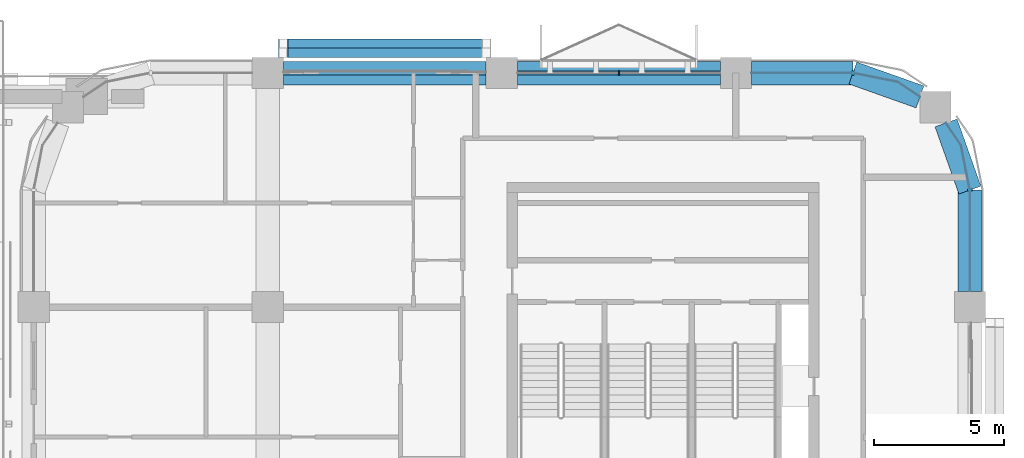
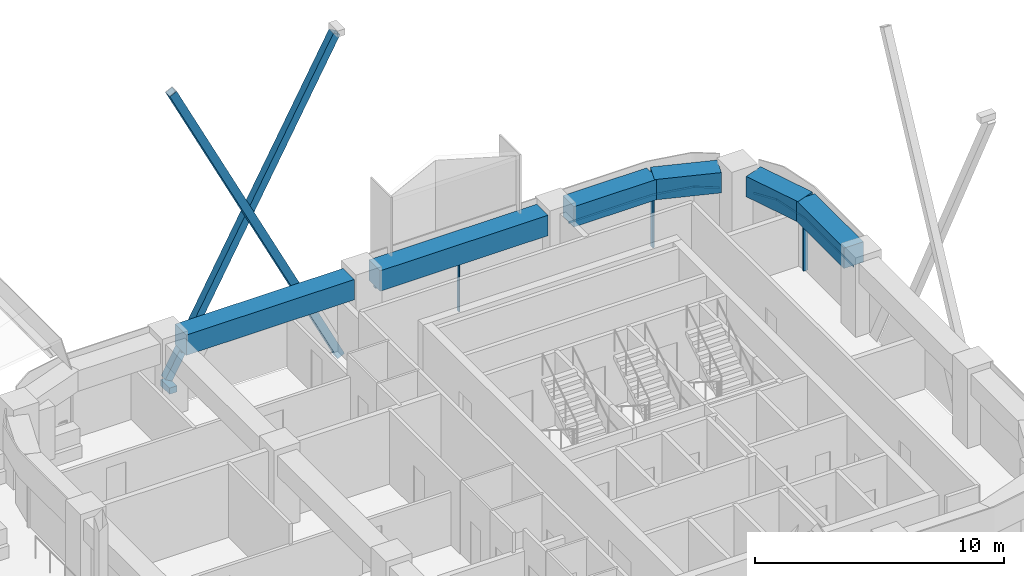
# One storey, part 5 of 13: 10 members, 6 beams, 4 elements without a shape of their own.
"""IFC4 building model written with IfcOpenShell, lengths in metres."""

from ifc_helpers import new_model, si_unit, direction, frame, origin, origin_2d, place, context, subcontext, project, spatial, polyline, rectangle, hollow_rectangle, outline, extrude, material, layer, layer_set, material_profile, profile_set, type_object, element, aggregate, save


model = new_model("IFC4")

# Units and contexts
model_context = context("Model", 3, precision=1e-05, world=origin(), true_north=direction((0.0, 1.0)))
body_context = subcontext(model_context, "Body", "Model", "MODEL_VIEW")
ifc_project = project(units=[si_unit("LENGTHUNIT", "METRE"), si_unit("AREAUNIT", "SQUARE_METRE"), si_unit("VOLUMEUNIT", "CUBIC_METRE"), si_unit("PLANEANGLEUNIT", "RADIAN"), si_unit("MASSUNIT", "GRAM", prefix="KILO")], contexts=[model_context])

# Site, building, storey
site_placement = place(None, origin())
site = spatial("IfcSite", under=ifc_project, at=site_placement, CompositionType="ELEMENT")
building_placement = place(site_placement, origin())
building = spatial("IfcBuilding", under=site, at=building_placement, Name="Tessera Arch", CompositionType="ELEMENT")
storey_placement = place(building_placement, frame((0.0, 0.0, 234.5)))
storey = spatial("IfcBuildingStorey", under=building, at=storey_placement, Name="L56", CompositionType="ELEMENT", Elevation=234.5)

# Members
ifc_material_1 = material(Name="Steel A500 Gr C", Category="steel")
ifc_material_profile_1 = material_profile(ifc_material_1, hollow_rectangle(XDim=0.355712890625, YDim=0.355712890625, WallThickness=0.01171875, at=origin_2d()), Name="HSS14x14x1/2")
ifc_profile_set_1 = profile_set([ifc_material_profile_1], Name="Steel A500 Gr C")
member_type_1 = type_object("IfcMemberType", Name="Brace HSS14x14x1/2 Steel A500 Gr C", PredefinedType="BRACE", material=ifc_profile_set_1)
member_1_placement = place(storey_placement, frame((35.39990234375, 54.77783203125, -0.800048828125), z_axis=(-0.447202397208, 0.0, 0.894432790058), x_axis=(0.0, -1.0, 0.0)))
element("IfcMember", 1, at=member_1_placement, inside=storey, type_object=member_type_1, Name="Brace N54.18-2 A L56-L59", PredefinedType="BRACE", context=body_context, shape_type="SweptSolid", body=[
    extrude(hollow_rectangle(XDim=0.355712890625, YDim=0.355712890625, WallThickness=0.01171875, at=origin_2d()), origin(), (0.0, 0.0, 1.0), 17.44140625),
])
member_2_placement = place(storey_placement, frame((27.60009765625, 55.13330078125, 0.522705078125), z_axis=(0.479428201331, 0.0, 0.877581107231), x_axis=(0.0, 1.0, 0.0)))
element("IfcMember", 2, at=member_2_placement, inside=storey, type_object=member_type_1, Name="Brace N54.18-2 B L56-L59", PredefinedType="BRACE", context=body_context, shape_type="SweptSolid", body=[
    extrude(hollow_rectangle(XDim=0.355712890625, YDim=0.355712890625, WallThickness=0.01171875, at=origin_2d()), origin(), (0.0, 0.0, 1.0), 16.26904296875),
])

# Curtain wall, members
ifc_material_2 = material(Name="CW1 curtain wall")
curtain_wall_type_1 = type_object("IfcCurtainWallType", Name="CW1 curtain wall", PredefinedType="NOTDEFINED", material=ifc_material_2)
curtain_wall_1_placement = place(storey_placement, origin())
curtain_wall_1 = element("IfcCurtainWall", 3, at=curtain_wall_1_placement, inside=storey, type_object=curtain_wall_type_1, Name="CW1 curtain wall N54.18/1 L56", PredefinedType="NOTDEFINED")
ifc_material_3 = material(Name="Anodised aluminium pale metal", Category="aluminium")
ifc_material_profile_2 = material_profile(ifc_material_3, rectangle(XDim=0.159912109375, YDim=0.06005859375, at=origin_2d()), Name="AL 60x160")
ifc_profile_set_2 = profile_set([ifc_material_profile_2], Name="Anodised aluminium pale metal")
member_type_2 = type_object("IfcMemberType", Name="CW1 mullion", PredefinedType="MULLION", material=ifc_profile_set_2)
member_3_placement = place(storey_placement, frame((40.5, 54.0, 0.0), z_axis=(0.0, 0.0, 1.0), x_axis=(0.0, -1.0, 0.0)))
member_3 = element("IfcMember", 4, at=member_3_placement, type_object=member_type_2, Name="CW1 mullion N54.18/1 1", PredefinedType="MULLION", context=body_context, shape_type="SweptSolid", body=[
    extrude(rectangle(XDim=0.159912109375, YDim=0.06005859375, at=origin_2d()), origin(), (0.0, 0.0, 1.0), 2.5),
])
ifc_material_4 = material(Name="Anodised aluminium pale metal", Category="aluminium")
ifc_material_profile_3 = material_profile(ifc_material_4, rectangle(XDim=0.159912109375, YDim=0.10009765625, at=origin_2d()), Name="AL 160x100")
ifc_profile_set_3 = profile_set([ifc_material_profile_3], Name="Anodised aluminium pale metal")
member_type_3 = type_object("IfcMemberType", Name="CW1 transom", PredefinedType="USERDEFINED", material=ifc_profile_set_3)
member_4_placement = place(storey_placement, frame((44.39990234375, 54.0, 2.550048828125), z_axis=(-1.0, 0.0, 0.0), x_axis=(0.0, -1.0, 0.0)))
member_4 = element("IfcMember", 5, at=member_4_placement, type_object=member_type_3, Name="CW1 transom N54.18/1 1.1", ObjectType="TRANSOM", PredefinedType="USERDEFINED", context=body_context, shape_type="SweptSolid", body=[
    extrude(rectangle(XDim=0.159912109375, YDim=0.10009765625, at=origin_2d()), origin(), (0.0, 0.0, 1.0), 7.7998046875),
])
aggregate(curtain_wall_1, [member_3, member_4])

# Curtain wall, member
ifc_material_5 = material(Name="CW2 curtain wall")
curtain_wall_type_2 = type_object("IfcCurtainWallType", Name="CW2 curtain wall", PredefinedType="NOTDEFINED", material=ifc_material_5)
curtain_wall_2_placement = place(storey_placement, origin())
curtain_wall_2 = element("IfcCurtainWall", 6, at=curtain_wall_2_placement, inside=storey, type_object=curtain_wall_type_2, Name="CW2 curtain wall E54.27/1 L56", PredefinedType="NOTDEFINED")
ifc_material_6 = material(Name="Anodised aluminium pale metal", Category="aluminium")
ifc_material_profile_4 = material_profile(ifc_material_6, rectangle(XDim=0.199951171875, YDim=0.080078125, at=origin_2d()), Name="AL 80x200")
ifc_profile_set_4 = profile_set([ifc_material_profile_4], Name="Anodised aluminium pale metal")
member_type_4 = type_object("IfcMemberType", Name="CW2 mullion", PredefinedType="MULLION", material=ifc_profile_set_4)
member_5_placement = place(storey_placement, frame((54.0, 49.5, 0.0), z_axis=(0.0, 0.0, 1.0), x_axis=(-1.0, 0.0, 0.0)))
member_5 = element("IfcMember", 7, at=member_5_placement, type_object=member_type_4, Name="CW2 mullion E54.27/1 1", PredefinedType="MULLION", context=body_context, shape_type="SweptSolid", body=[
    extrude(rectangle(XDim=0.199951171875, YDim=0.080078125, at=origin_2d()), origin(), (0.0, 0.0, 1.0), 2.5),
])

curtain_wall_3_placement = place(storey_placement, origin())
curtain_wall_3 = element("IfcCurtainWall", 8, at=curtain_wall_3_placement, inside=storey, type_object=curtain_wall_type_2, Name="CW2 curtain wall N54.18/0 L56", PredefinedType="NOTDEFINED")
member_6_placement = place(storey_placement, frame((49.5, 54.0, 0.0), z_axis=(0.0, 0.0, 1.0), x_axis=(0.0, -1.0, 0.0)))
member_6 = element("IfcMember", 9, at=member_6_placement, type_object=member_type_4, Name="CW2 mullion N54.18/0 1", PredefinedType="MULLION", context=body_context, shape_type="SweptSolid", body=[
    extrude(rectangle(XDim=0.199951171875, YDim=0.080078125, at=origin_2d()), origin(), (0.0, 0.0, 1.0), 2.5),
])

# Member
ifc_material_7 = material(Name="Anodised aluminium pale metal", Category="aluminium")
ifc_material_profile_5 = material_profile(ifc_material_7, rectangle(XDim=0.199951171875, YDim=0.10009765625, at=origin_2d()), Name="AL 200x100")
ifc_profile_set_5 = profile_set([ifc_material_profile_5], Name="Anodised aluminium pale metal")
member_type_5 = type_object("IfcMemberType", Name="CW2 transom", PredefinedType="USERDEFINED", material=ifc_profile_set_5)
member_7_placement = place(storey_placement, frame((0.0, 0.0, 2.5)))
member_7 = element("IfcMember", 10, at=member_7_placement, type_object=member_type_5, Name="CW2 transom E54.27/1 1", ObjectType="TRANSOM", PredefinedType="USERDEFINED", context=body_context, shape_type="SweptSolid", body=[
    extrude(outline(polyline([(53.989990234375, 49.4990234375), (53.989990234375, 45.60009765625), (54.010009765625, 45.60009765625), (54.010009765625, 49.5009765625), (53.6669921875, 51.22607421875), (53.09130859375, 52.087646484375), (53.07470703125, 52.076416015625), (53.648193359375, 51.21826171875), (53.989990234375, 49.4990234375)])), origin(), (0.0, 0.0, 1.0), 0.10009765625),
])

aggregate(curtain_wall_2, [member_5, member_7])

member_8_placement = place(storey_placement, frame((0.0, 0.0, 2.5)))
member_8 = element("IfcMember", 11, at=member_8_placement, type_object=member_type_5, Name="CW2 transom N54.18/0 1", ObjectType="TRANSOM", PredefinedType="USERDEFINED", context=body_context, shape_type="SweptSolid", body=[
    extrude(outline(polyline([(51.21826171875, 53.648193359375), (52.076416015625, 53.07470703125), (52.087646484375, 53.09130859375), (51.22607421875, 53.6669921875), (49.5009765625, 54.010009765625), (45.60009765625, 54.010009765625), (45.60009765625, 53.989990234375), (49.4990234375, 53.989990234375), (51.21826171875, 53.648193359375)])), origin(), (0.0, 0.0, 1.0), 0.10009765625),
])

aggregate(curtain_wall_3, [member_6, member_8])

# Curtain wall, member
ifc_material_8 = material(Name="CW3 curtain wall")
curtain_wall_type_3 = type_object("IfcCurtainWallType", Name="CW3 curtain wall", PredefinedType="NOTDEFINED", material=ifc_material_8)
curtain_wall_4_placement = place(storey_placement, origin())
curtain_wall_4 = element("IfcCurtainWall", 12, at=curtain_wall_4_placement, inside=storey, type_object=curtain_wall_type_3, Name="CW3 curtain wall N54.18/2 L56", PredefinedType="NOTDEFINED")
ifc_material_9 = material(Name="Anodised aluminium pale metal", Category="aluminium")
ifc_material_profile_6 = material_profile(ifc_material_9, rectangle(XDim=0.139892578125, YDim=0.10009765625, at=origin_2d()), Name="AL 140x100")
ifc_profile_set_6 = profile_set([ifc_material_profile_6], Name="Anodised aluminium pale metal")
member_type_6 = type_object("IfcMemberType", Name="CW3 transom", PredefinedType="USERDEFINED", material=ifc_profile_set_6)
member_9_placement = place(storey_placement, frame((35.39990234375, 54.0, 2.550048828125), z_axis=(-1.0, 0.0, 0.0), x_axis=(0.0, -1.0, 0.0)))
member_9 = element("IfcMember", 13, at=member_9_placement, type_object=member_type_6, Name="CW3 transom N54.18/2 1.1", ObjectType="TRANSOM", PredefinedType="USERDEFINED", context=body_context, shape_type="SweptSolid", body=[
    extrude(rectangle(XDim=0.139892578125, YDim=0.10009765625, at=origin_2d()), origin(), (0.0, 0.0, 1.0), 7.7998046875),
])
aggregate(curtain_wall_4, [member_9])

# Member
ifc_material_10 = material(Name="Steel A572 Gr50", Category="steel")
ifc_layer = layer(ifc_material_10, 0.050048828125)
ifc_layer_set = layer_set([ifc_layer], Name="Node block Steel A572 Gr50")
member_type_7 = type_object("IfcMemberType", Name="Node block Steel A572 Gr50", PredefinedType="PLATE", material=ifc_layer_set)
member_10_placement = place(storey_placement, frame((27.60009765625, 54.95556640625, 0.11572265625), z_axis=(0.0, 0.0, 1.0), x_axis=(-1.0, 0.0, 0.0)))
element("IfcMember", 14, at=member_10_placement, inside=storey, type_object=member_type_7, Name="Node block seat N54.18-2 1 L56", PredefinedType="PLATE", context=body_context, shape_type="SweptSolid", body=[
    extrude(rectangle(XDim=0.355712890625, YDim=0.711181640625, at=origin_2d()), origin(), (0.0, 0.0, 1.0), 0.300048828125),
])

# Beams
ifc_material_11 = material(Name="Concrete C60/75", Category="concrete")
ifc_material_profile_7 = material_profile(ifc_material_11, rectangle(XDim=0.89990234375, YDim=1.0, at=origin_2d()), Name="RC spandrel beam 900 x 1000 Concrete C60/75")
ifc_profile_set_7 = profile_set([ifc_material_profile_7], Name="Concrete C60/75")
beam_type = type_object("IfcBeamType", Name="RC spandrel beam 900 x 1000 Concrete C60/75", PredefinedType="BEAM", material=ifc_profile_set_7)
beam_1_placement = place(storey_placement, frame((54.0, 45.60009765625, 3.10009765625), z_axis=(0.0, 1.0, 0.0), x_axis=(-1.0, 0.0, 0.0)))
element("IfcBeam", 15, at=beam_1_placement, inside=storey, type_object=beam_type, Name="Spandrel beam L56 E54.27/1.1", PredefinedType="BEAM", context=body_context, shape_type="SweptSolid", body=[
    extrude(rectangle(XDim=0.89990234375, YDim=1.0, at=origin_2d()), origin(), (0.0, 0.0, 1.0), 3.89990234375),
])
for number, where, z_axis, x_axis, name in (
    (16, (54.0, 49.5, 3.10009765625), (-0.334665114373, 0.942337127159, 0.0), (-0.942337127159, -0.334665114373, 0.0), "Spandrel beam L56 E54.27/1.2"),
    (17, (52.08203125, 53.0830078125, 3.10009765625), (-0.942337127159, 0.334665114373, 0.0), (-0.334665114373, -0.942337127159, 0.0), "Spandrel beam L56 N54.18/0.1"),
):
    element("IfcBeam", number, at=place(storey_placement, frame(where, z_axis=z_axis, x_axis=x_axis)), inside=storey, type_object=beam_type, Name=name, PredefinedType="BEAM", context=body_context, shape_type="SweptSolid", body=[
        extrude(rectangle(XDim=0.89990234375, YDim=1.0, at=origin_2d()), origin(), (0.0, 0.0, 1.0), 2.739990234375),
    ])
beam_2_placement = place(storey_placement, frame((49.5, 54.0, 3.10009765625), z_axis=(-1.0, 0.0, 0.0), x_axis=(0.0, -1.0, 0.0)))
element("IfcBeam", 18, at=beam_2_placement, inside=storey, type_object=beam_type, Name="Spandrel beam L56 N54.18/0.2", PredefinedType="BEAM", context=body_context, shape_type="SweptSolid", body=[
    extrude(rectangle(XDim=0.89990234375, YDim=1.0, at=origin_2d()), origin(), (0.0, 0.0, 1.0), 3.89990234375),
])
for number, where, z_axis, x_axis, name in (
    (19, (44.39990234375, 54.0, 3.10009765625), (-1.0, 0.0, 0.0), (0.0, -1.0, 0.0), "Spandrel beam L56 N54.18/1"),
    (20, (35.39990234375, 54.0, 3.10009765625), (-1.0, 0.0, 0.0), (0.0, -1.0, 0.0), "Spandrel beam L56 N54.18/2"),
):
    element("IfcBeam", number, at=place(storey_placement, frame(where, z_axis=z_axis, x_axis=x_axis)), inside=storey, type_object=beam_type, Name=name, PredefinedType="BEAM", context=body_context, shape_type="SweptSolid", body=[
        extrude(rectangle(XDim=0.89990234375, YDim=1.0, at=origin_2d()), origin(), (0.0, 0.0, 1.0), 7.7998046875),
    ])

save(model, "model.ifc")
